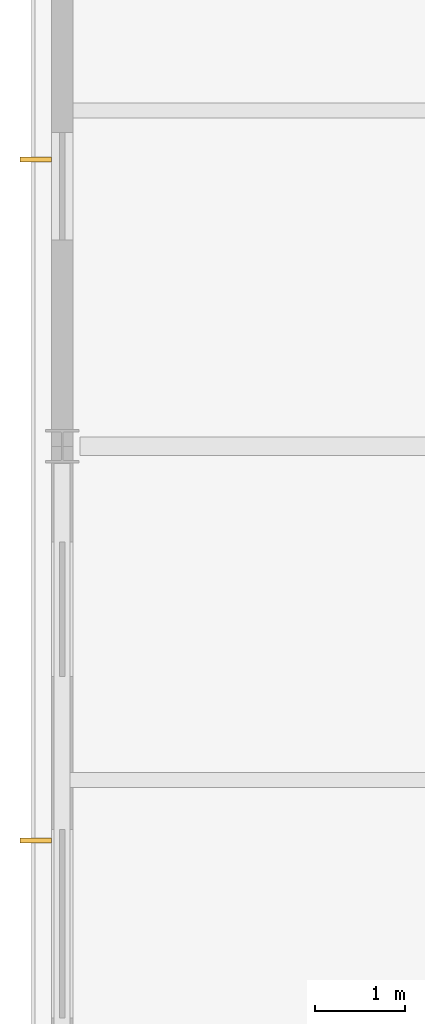
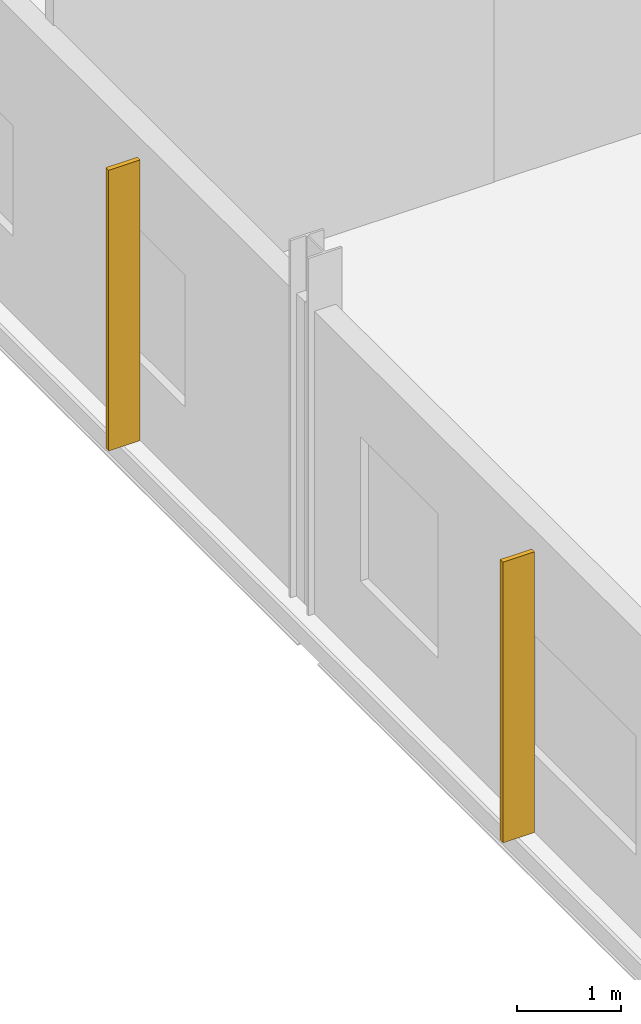
# One storey, part 20 of 23: 2 shading devices.
"""IFC4 building model written with IfcOpenShell, lengths in metres."""

from ifc_helpers import new_model, si_unit, direction, frame, origin, origin_2d, place, context, subcontext, project, spatial, rectangle, extrude, material, type_object, element, save


model = new_model("IFC4")

# Units and contexts
model_context = context("Model", 3, precision=1e-05, world=origin(), true_north=direction((0.0, 1.0)))
body_context = subcontext(model_context, "Body", "Model", "MODEL_VIEW")
ifc_project = project(units=[si_unit("LENGTHUNIT", "METRE"), si_unit("AREAUNIT", "SQUARE_METRE"), si_unit("VOLUMEUNIT", "CUBIC_METRE"), si_unit("PLANEANGLEUNIT", "RADIAN"), si_unit("MASSUNIT", "GRAM", prefix="KILO")], contexts=[model_context])

# Site, building, storey
site_placement = place(None, origin())
site = spatial("IfcSite", under=ifc_project, at=site_placement, CompositionType="ELEMENT")
building_placement = place(site_placement, origin())
building = spatial("IfcBuilding", under=site, at=building_placement, Name="Quillay Park Conservatory", CompositionType="ELEMENT")
storey_placement = place(building_placement, frame((0.0, 0.0, 22.5)))
storey = spatial("IfcBuildingStorey", under=building, at=storey_placement, Name="L05", CompositionType="ELEMENT", Elevation=22.5)

# Shading devices
ifc_material = material(Name="Perforated Copper-Bronze Anodised Aluminium", Category="aluminium")
shading_device_type = type_object("IfcShadingDeviceType", Name="COPPER BRONZE SOLAR FIN", PredefinedType="USERDEFINED", material=ifc_material)
for number, where, z_axis, x_axis, name in (
    (1, (0.2548828125, 66.10009765625, 0.0), (0.0, 0.0, 1.0), (1.0, 0.0, 0.0), "L05 Perforated Copper-Bronze Solar Fin 016"),
    (2, (0.2548828125, 73.699951171875, 0.0), (0.0, 0.0, 1.0), (1.0, 0.0, 0.0), "L05 Perforated Copper-Bronze Solar Fin 017"),
):
    element("IfcShadingDevice", number, at=place(storey_placement, frame(where, z_axis=z_axis, x_axis=x_axis)), inside=storey, type_object=shading_device_type, Name=name, ObjectType="SOLAR FIN", PredefinedType="USERDEFINED", context=body_context, shape_type="SweptSolid", body=[
        extrude(rectangle(XDim=0.35009765625, YDim=0.054931640625, at=origin_2d()), origin(), (0.0, 0.0, 1.0), 3.300048828125),
    ])

save(model, "model.ifc")
